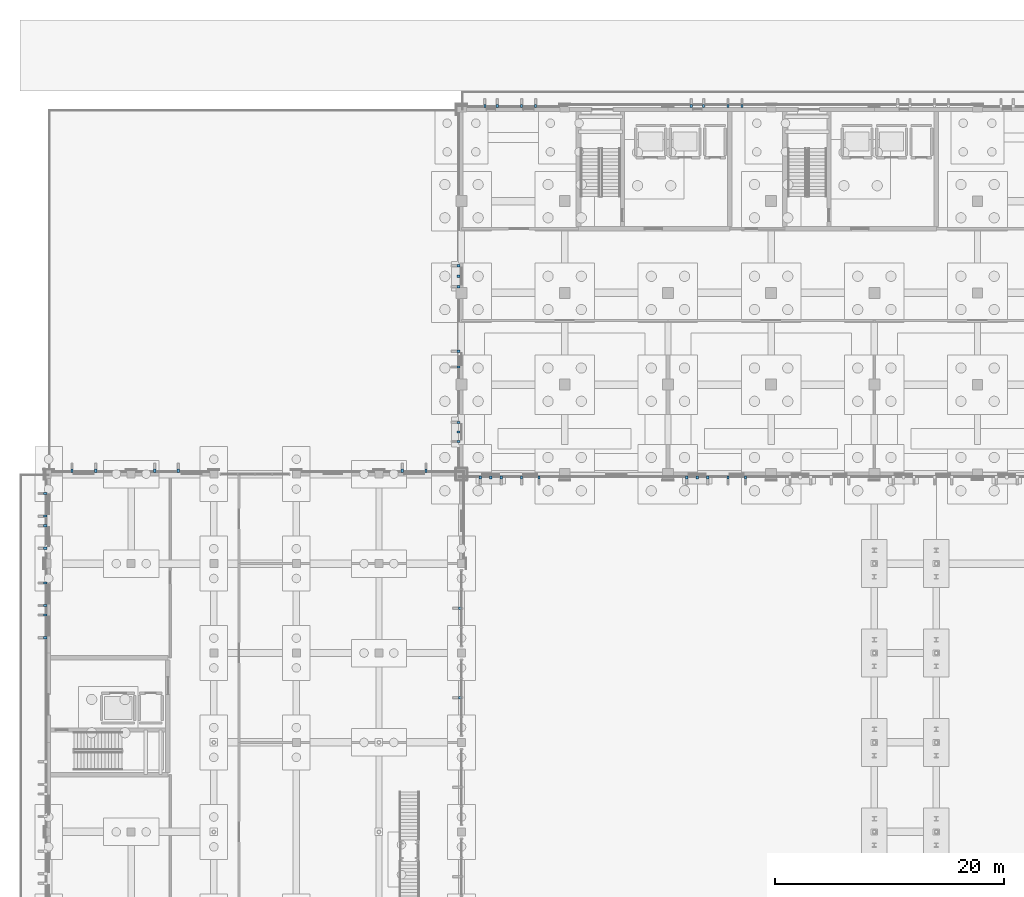
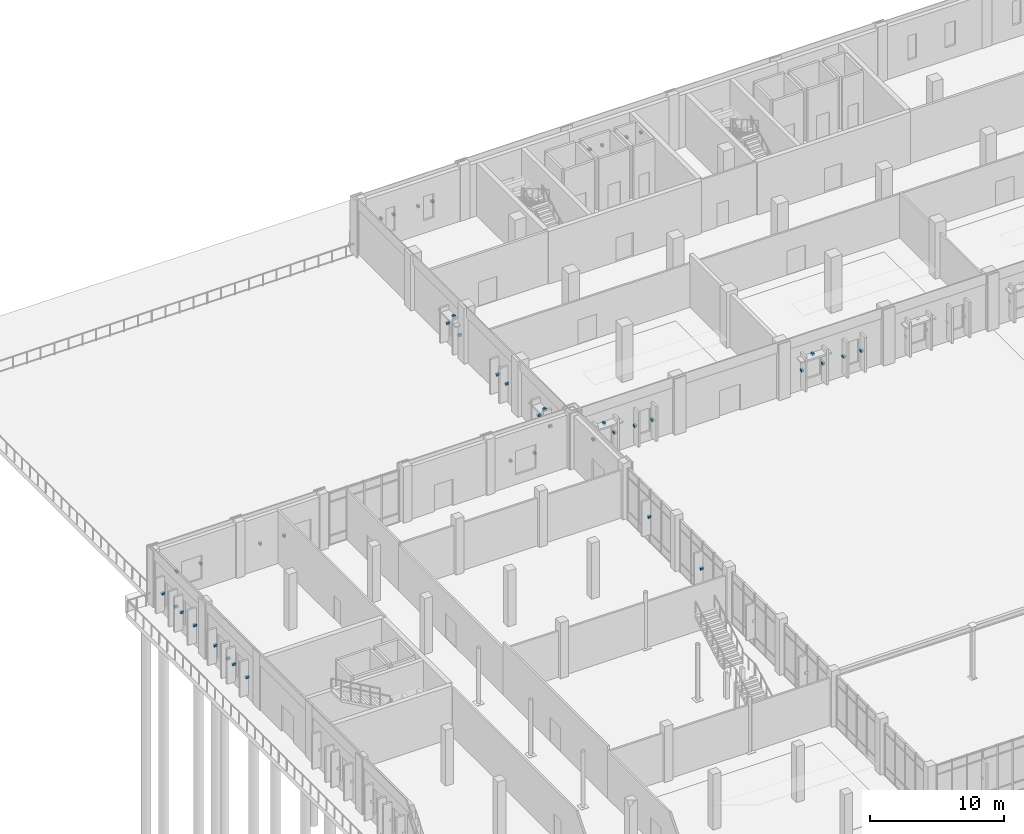
# One storey, part 75 of 94: 42 discrete accessories.
"""IFC4 building model written with IfcOpenShell, lengths in metres."""

from ifc_helpers import new_model, si_unit, direction, frame, origin, origin_2d, place, context, subcontext, project, spatial, rectangle, extrude, material, type_object, element, save


model = new_model("IFC4")

# Units and contexts
model_context = context("Model", 3, precision=1e-05, world=origin(), true_north=direction((0.0, 1.0)))
body_context = subcontext(model_context, "Body", "Model", "MODEL_VIEW")
ifc_project = project(units=[si_unit("LENGTHUNIT", "METRE"), si_unit("AREAUNIT", "SQUARE_METRE"), si_unit("VOLUMEUNIT", "CUBIC_METRE"), si_unit("PLANEANGLEUNIT", "RADIAN"), si_unit("MASSUNIT", "GRAM", prefix="KILO")], contexts=[model_context])

# Site, building, storey
site_placement = place(None, origin())
site = spatial("IfcSite", under=ifc_project, at=site_placement, CompositionType="ELEMENT")
building_placement = place(site_placement, origin())
building = spatial("IfcBuilding", under=site, at=building_placement, Name="Vervanel Yard Central Library", CompositionType="ELEMENT")
storey_placement = place(building_placement, origin())
storey = spatial("IfcBuildingStorey", under=building, at=storey_placement, Name="L00", CompositionType="ELEMENT", Elevation=0.0)

# Discrete accessories
ifc_material = material(Name="Steel ASTM A572 Grade 50", Category="steel")
discrete_accessory_type = type_object("IfcDiscreteAccessoryType", Name="Stainless Solar Fin Fixing Bracket", PredefinedType="BRACKET", material=ifc_material)
for number, where, z_axis, x_axis, name in (
    (1, (38.0400390625, 114.31005859375, 2.14990234375), (0.0, 0.0, 1.0), (1.0, 0.0, 0.0), "L00 Solar Fin Bracket 1"),
    (2, (39.110107421875, 114.31005859375, 2.14990234375), (0.0, 0.0, 1.0), (1.0, 0.0, 0.0), "L00 Solar Fin Bracket 2"),
    (3, (41.239990234375, 114.31005859375, 2.14990234375), (0.0, 0.0, 1.0), (1.0, 0.0, 0.0), "L00 Solar Fin Bracket 3"),
    (4, (42.4599609375, 114.31005859375, 2.14990234375), (0.0, 0.0, 1.0), (1.0, 0.0, 0.0), "L00 Solar Fin Bracket 4"),
    (5, (56.0400390625, 114.31005859375, 2.14990234375), (0.0, 0.0, 1.0), (1.0, 0.0, 0.0), "L00 Solar Fin Bracket 5"),
    (6, (57.110107421875, 114.31005859375, 2.14990234375), (0.0, 0.0, 1.0), (1.0, 0.0, 0.0), "L00 Solar Fin Bracket 6"),
    (7, (59.239990234375, 114.31005859375, 2.14990234375), (0.0, 0.0, 1.0), (1.0, 0.0, 0.0), "L00 Solar Fin Bracket 7"),
    (8, (60.4599609375, 114.31005859375, 2.14990234375), (0.0, 0.0, 1.0), (1.0, 0.0, 0.0), "L00 Solar Fin Bracket 8"),
    (9, (37.639892578125, 81.909912109375, 1.7998046875), (0.0, 0.0, 1.0), (1.0, 0.0, 0.0), "L00 Solar Fin Bracket 29"),
    (10, (39.4599609375, 81.909912109375, 1.7998046875), (0.0, 0.0, 1.0), (1.0, 0.0, 0.0), "L00 Solar Fin Bracket 30"),
    (11, (38.550048828125, 81.909912109375, 2.9501953125), (0.0, 0.0, 1.0), (1.0, 0.0, 0.0), "L00 Sunhood Bracket 1"),
    (12, (41.239990234375, 81.909912109375, 1.7998046875), (0.0, 0.0, 1.0), (1.0, 0.0, 0.0), "L00 Solar Fin Bracket 31"),
    (13, (42.760009765625, 81.909912109375, 1.7998046875), (0.0, 0.0, 1.0), (1.0, 0.0, 0.0), "L00 Solar Fin Bracket 32"),
    (14, (55.639892578125, 81.909912109375, 1.7998046875), (0.0, 0.0, 1.0), (1.0, 0.0, 0.0), "L00 Solar Fin Bracket 33"),
    (15, (57.4599609375, 81.909912109375, 1.7998046875), (0.0, 0.0, 1.0), (1.0, 0.0, 0.0), "L00 Solar Fin Bracket 34"),
    (16, (56.550048828125, 81.909912109375, 2.9501953125), (0.0, 0.0, 1.0), (1.0, 0.0, 0.0), "L00 Sunhood Bracket 2"),
    (17, (59.239990234375, 81.909912109375, 1.7998046875), (0.0, 0.0, 1.0), (1.0, 0.0, 0.0), "L00 Solar Fin Bracket 35"),
    (18, (60.760009765625, 81.909912109375, 1.7998046875), (0.0, 0.0, 1.0), (1.0, 0.0, 0.0), "L00 Solar Fin Bracket 36"),
    (19, (35.72998046875, 85.0400390625, 1.77490234375), (0.0, 0.0, 1.0), (0.0, 1.0, 0.0), "L00 Solar Fin Bracket 49"),
    (20, (35.72998046875, 86.7099609375, 1.77490234375), (0.0, 0.0, 1.0), (0.0, 1.0, 0.0), "L00 Solar Fin Bracket 50"),
    (21, (35.72998046875, 85.875, 2.7998046875), (0.0, 0.0, 1.0), (0.0, 1.0, 0.0), "L00 Sunhood Bracket 6"),
    (22, (35.72998046875, 91.5400390625, 1.72509765625), (0.0, 0.0, 1.0), (0.0, 1.0, 0.0), "L00 Solar Fin Bracket 51"),
    (23, (35.72998046875, 92.909912109375, 1.72509765625), (0.0, 0.0, 1.0), (0.0, 1.0, 0.0), "L00 Solar Fin Bracket 52"),
    (24, (35.72998046875, 98.5400390625, 1.89990234375), (0.0, 0.0, 1.0), (0.0, 1.0, 0.0), "L00 Solar Fin Bracket 53"),
    (25, (35.72998046875, 100.360107421875, 1.89990234375), (0.0, 0.0, 1.0), (0.0, 1.0, 0.0), "L00 Solar Fin Bracket 54"),
    (26, (35.72998046875, 99.449951171875, 3.0498046875), (0.0, 0.0, 1.0), (0.0, 1.0, 0.0), "L00 Sunhood Bracket 7"),
    (27, (-0.2900390625, 67.93994140625, 1.875), (0.0, 0.0, 1.0), (0.0, 1.0, 0.0), "L00 Solar Fin Bracket 241"),
    (28, (-0.2900390625, 69.909912109375, 1.875), (0.0, 0.0, 1.0), (0.0, 1.0, 0.0), "L00 Solar Fin Bracket 242"),
    (29, (-0.2900390625, 70.739990234375, 1.875), (0.0, 0.0, 1.0), (0.0, 1.0, 0.0), "L00 Solar Fin Bracket 243"),
    (30, (-0.2900390625, 72.7099609375, 1.875), (0.0, 0.0, 1.0), (0.0, 1.0, 0.0), "L00 Solar Fin Bracket 244"),
    (31, (-0.2900390625, 75.739990234375, 1.875), (0.0, 0.0, 1.0), (0.0, 1.0, 0.0), "L00 Solar Fin Bracket 245"),
    (32, (-0.2900390625, 77.7099609375, 1.875), (0.0, 0.0, 1.0), (0.0, 1.0, 0.0), "L00 Solar Fin Bracket 246"),
    (33, (-0.2900390625, 78.5400390625, 1.875), (0.0, 0.0, 1.0), (0.0, 1.0, 0.0), "L00 Solar Fin Bracket 247"),
    (34, (-0.2900390625, 80.510009765625, 1.875), (0.0, 0.0, 1.0), (0.0, 1.0, 0.0), "L00 Solar Fin Bracket 248"),
    (35, (35.8701171875, 62.699951171875, 2.2900390625), (0.0, 0.0, 1.0), (0.0, 1.0, 0.0), "L00 Solar Fin Bracket 251"),
    (36, (35.8701171875, 70.5, 2.2900390625), (0.0, 0.0, 1.0), (0.0, 1.0, 0.0), "L00 Solar Fin Bracket 252"),
    (37, (2.0400390625, 82.489990234375, 1.875), (0.0, 0.0, 1.0), (1.0, 0.0, 0.0), "L00 Solar Fin Bracket 253"),
    (38, (4.110107421875, 82.489990234375, 1.875), (0.0, 0.0, 1.0), (1.0, 0.0, 0.0), "L00 Solar Fin Bracket 254"),
    (39, (9.239990234375, 82.489990234375, 1.875), (0.0, 0.0, 1.0), (1.0, 0.0, 0.0), "L00 Solar Fin Bracket 255"),
    (40, (11.31005859375, 82.489990234375, 1.875), (0.0, 0.0, 1.0), (1.0, 0.0, 0.0), "L00 Solar Fin Bracket 256"),
    (41, (30.840087890625, 82.489990234375, 1.875), (0.0, 0.0, 1.0), (1.0, 0.0, 0.0), "L00 Solar Fin Bracket 257"),
    (42, (32.909912109375, 82.489990234375, 1.875), (0.0, 0.0, 1.0), (1.0, 0.0, 0.0), "L00 Solar Fin Bracket 258"),
):
    element("IfcDiscreteAccessory", number, at=place(storey_placement, frame(where, z_axis=z_axis, x_axis=x_axis)), inside=storey, type_object=discrete_accessory_type, Name=name, PredefinedType="BRACKET", context=body_context, shape_type="SweptSolid", body=[
        extrude(rectangle(XDim=0.199951171875, YDim=0.280029296875, at=origin_2d()), origin(), (0.0, 0.0, 1.0), 0.199951171875),
    ])

save(model, "model.ifc")
